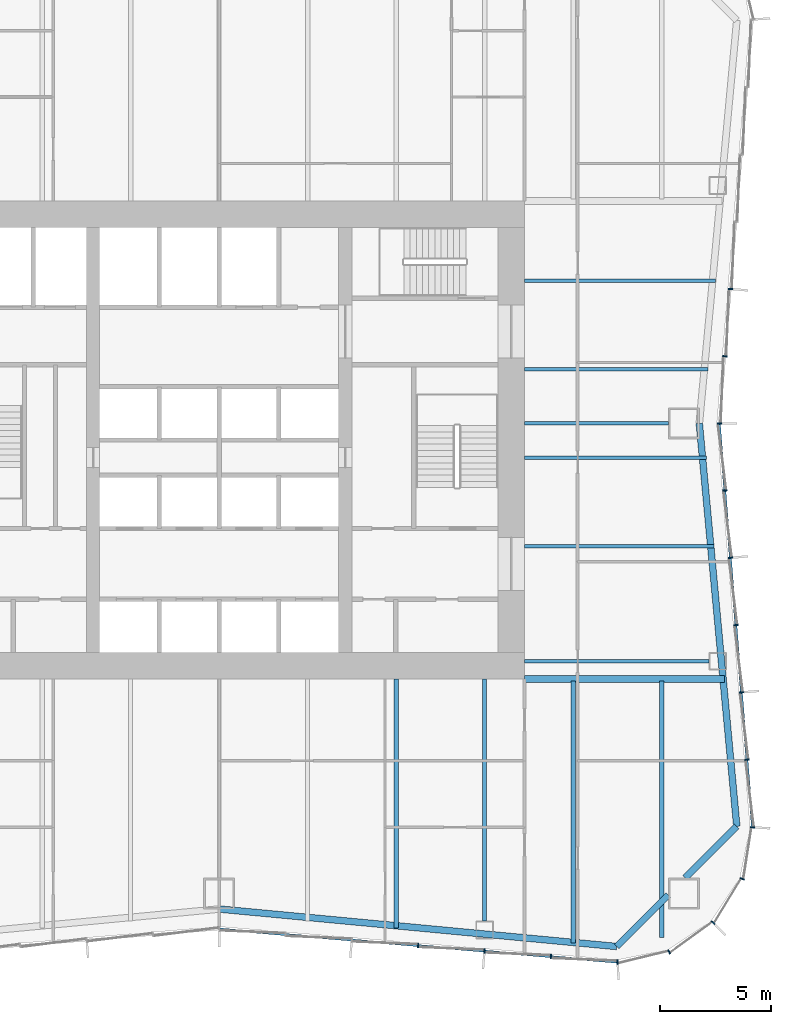
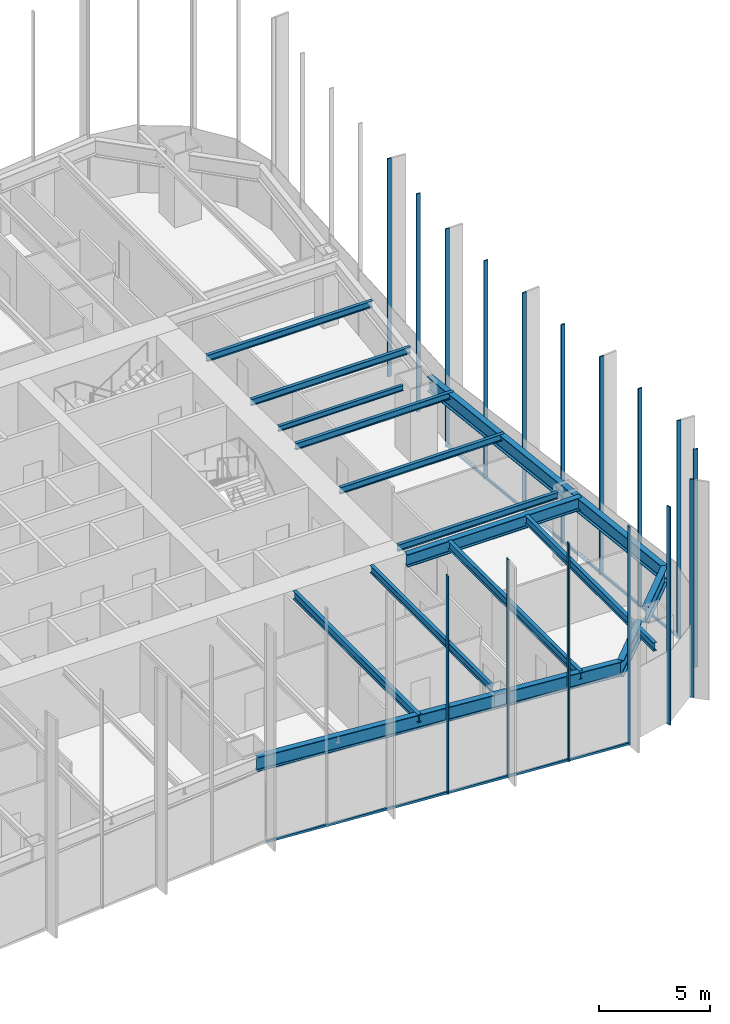
# One storey, part 4 of 13: 18 members, 15 beams, 3 elements without a shape of their own.
"""IFC4 building model written with IfcOpenShell, lengths in metres."""

from ifc_helpers import new_model, si_unit, direction, frame, origin, origin_2d, place, context, subcontext, project, spatial, rectangle, i_section, extrude, material, material_profile, profile_set, type_object, element, aggregate, save


model = new_model("IFC4")

# Units and contexts
model_context = context("Model", 3, precision=1e-05, world=origin(), true_north=direction((0.0, 1.0)))
body_context = subcontext(model_context, "Body", "Model", "MODEL_VIEW")
ifc_project = project(units=[si_unit("LENGTHUNIT", "METRE"), si_unit("AREAUNIT", "SQUARE_METRE"), si_unit("VOLUMEUNIT", "CUBIC_METRE"), si_unit("PLANEANGLEUNIT", "RADIAN"), si_unit("MASSUNIT", "GRAM", prefix="KILO")], contexts=[model_context])

# Site, building, storey
site_placement = place(None, origin())
site = spatial("IfcSite", under=ifc_project, at=site_placement, CompositionType="ELEMENT")
building_placement = place(site_placement, origin())
building = spatial("IfcBuilding", under=site, at=building_placement, Name="Verdant Reach Tower", CompositionType="ELEMENT")
storey_placement = place(building_placement, frame((0.0, 0.0, 94.0)))
storey = spatial("IfcBuildingStorey", under=building, at=storey_placement, Name="L21", CompositionType="ELEMENT", Elevation=94.0)

# Curtain wall, members
ifc_material_1 = material(Name="Anodised aluminium", Category="aluminium")
curtain_wall_type = type_object("IfcCurtainWallType", Name="EN-CW SYSTEM Z1", PredefinedType="NOTDEFINED", material=ifc_material_1)
curtain_wall_1_placement = place(storey_placement, origin())
curtain_wall_1 = element("IfcCurtainWall", 1, at=curtain_wall_1_placement, inside=storey, type_object=curtain_wall_type, Name="Curtain wall south-east corner, L21", PredefinedType="NOTDEFINED")
ifc_material_profile_1 = material_profile(ifc_material_1, rectangle(XDim=0.2060546875, YDim=0.06201171875, at=origin_2d()), Name="Mullion 62x206")
ifc_profile_set_1 = profile_set([ifc_material_profile_1], Name="Anodised aluminium")
member_type_1 = type_object("IfcMemberType", Name="EN-MULLION Z1", PredefinedType="MULLION", material=ifc_profile_set_1)
member_1_placement = place(storey_placement, frame((18.005859375, 4.397216796875, -0.35009765625), z_axis=(0.0, 0.0, 1.0), x_axis=(0.056569187765, -0.998398681387, 0.0)))
member_1 = element("IfcMember", 2, at=member_1_placement, type_object=member_type_1, Name="Mullion south-east corner 1, L21", PredefinedType="MULLION", context=body_context, shape_type="SweptSolid", body=[
    extrude(rectangle(XDim=0.2060546875, YDim=0.06201171875, at=origin_2d()), origin(), (0.0, 0.0, 1.0), 12.0),
])
member_2_placement = place(storey_placement, frame((20.33544921875, 4.861572265625, -0.35009765625), z_axis=(0.0, 0.0, 1.0), x_axis=(0.382693853776, -0.923875215753, 0.0)))
member_2 = element("IfcMember", 3, at=member_2_placement, type_object=member_type_1, Name="Mullion south-east corner 2, L21", PredefinedType="MULLION", context=body_context, shape_type="SweptSolid", body=[
    extrude(rectangle(XDim=0.2060546875, YDim=0.06201171875, at=origin_2d()), origin(), (0.0, 0.0, 1.0), 12.0),
])
member_3_placement = place(storey_placement, frame((22.3154296875, 6.1845703125, -0.35009765625), z_axis=(0.0, 0.0, 1.0), x_axis=(0.707106781187, -0.707106781187, 0.0)))
member_3 = element("IfcMember", 4, at=member_3_placement, type_object=member_type_1, Name="Mullion south-east corner 3, L21", PredefinedType="MULLION", context=body_context, shape_type="SweptSolid", body=[
    extrude(rectangle(XDim=0.2060546875, YDim=0.06201171875, at=origin_2d()), origin(), (0.0, 0.0, 1.0), 12.0),
])
member_4_placement = place(storey_placement, frame((23.638427734375, 8.16455078125, -0.35009765625), z_axis=(0.0, 0.0, 1.0), x_axis=(0.923875215753, -0.382693853776, 0.0)))
member_4 = element("IfcMember", 5, at=member_4_placement, type_object=member_type_1, Name="Mullion south-east corner 4, L21", PredefinedType="MULLION", context=body_context, shape_type="SweptSolid", body=[
    extrude(rectangle(XDim=0.2060546875, YDim=0.06201171875, at=origin_2d()), origin(), (0.0, 0.0, 1.0), 12.0),
])
aggregate(curtain_wall_1, [member_1, member_2, member_3, member_4])

curtain_wall_2_placement = place(storey_placement, origin())
curtain_wall_2 = element("IfcCurtainWall", 6, at=curtain_wall_2_placement, inside=storey, type_object=curtain_wall_type, Name="Curtain wall east, L21", PredefinedType="NOTDEFINED")
member_5_placement = place(storey_placement, frame((24.102783203125, 10.494140625, -0.35009765625), z_axis=(0.0, 0.0, 1.0), x_axis=(0.998366452275, -0.057135164055, 0.0)))
member_5 = element("IfcMember", 7, at=member_5_placement, type_object=member_type_1, Name="Mullion east face part 1 1, L21", PredefinedType="MULLION", context=body_context, shape_type="SweptSolid", body=[
    extrude(rectangle(XDim=0.2060546875, YDim=0.06201171875, at=origin_2d()), origin(), (0.0, 0.0, 1.0), 12.0),
])
member_6_placement = place(storey_placement, frame((23.8525390625, 13.550048828125, -0.35009765625), z_axis=(0.0, 0.0, 1.0), x_axis=(0.996639273542, 0.081915556724, 0.0)))
member_6 = element("IfcMember", 8, at=member_6_placement, type_object=member_type_1, Name="Mullion east face part 1 2, L21", PredefinedType="MULLION", context=body_context, shape_type="SweptSolid", body=[
    extrude(rectangle(XDim=0.2060546875, YDim=0.06201171875, at=origin_2d()), origin(), (0.0, 0.0, 1.0), 12.0),
])
member_7_placement = place(storey_placement, frame((23.6025390625, 16.591796875, -0.35009765625), z_axis=(0.0, 0.0, 1.0), x_axis=(0.996639273542, 0.081915556724, 0.0)))
member_7 = element("IfcMember", 9, at=member_7_placement, type_object=member_type_1, Name="Mullion east face part 1 3, L21", PredefinedType="MULLION", context=body_context, shape_type="SweptSolid", body=[
    extrude(rectangle(XDim=0.2060546875, YDim=0.06201171875, at=origin_2d()), origin(), (0.0, 0.0, 1.0), 12.0),
])
member_8_placement = place(storey_placement, frame((23.3525390625, 19.633544921875, -0.35009765625), z_axis=(0.0, 0.0, 1.0), x_axis=(0.996639273542, 0.081915556724, 0.0)))
member_8 = element("IfcMember", 10, at=member_8_placement, type_object=member_type_1, Name="Mullion east face part 1 4, L21", PredefinedType="MULLION", context=body_context, shape_type="SweptSolid", body=[
    extrude(rectangle(XDim=0.2060546875, YDim=0.06201171875, at=origin_2d()), origin(), (0.0, 0.0, 1.0), 12.0),
])
member_9_placement = place(storey_placement, frame((23.1025390625, 22.675048828125, -0.35009765625), z_axis=(0.0, 0.0, 1.0), x_axis=(0.996639273542, 0.081915556724, 0.0)))
member_9 = element("IfcMember", 11, at=member_9_placement, type_object=member_type_1, Name="Mullion east face part 1 5, L21", PredefinedType="MULLION", context=body_context, shape_type="SweptSolid", body=[
    extrude(rectangle(XDim=0.2060546875, YDim=0.06201171875, at=origin_2d()), origin(), (0.0, 0.0, 1.0), 12.0),
])
member_10_placement = place(storey_placement, frame((22.8525390625, 25.716796875, -0.35009765625), z_axis=(0.0, 0.0, 1.0), x_axis=(0.996639273542, 0.081915556724, 0.0)))
member_10 = element("IfcMember", 12, at=member_10_placement, type_object=member_type_1, Name="Mullion east face part 1 6, L21", PredefinedType="MULLION", context=body_context, shape_type="SweptSolid", body=[
    extrude(rectangle(XDim=0.2060546875, YDim=0.06201171875, at=origin_2d()), origin(), (0.0, 0.0, 1.0), 12.0),
])
member_11_placement = place(storey_placement, frame((22.60302734375, 28.75, -0.35009765625), z_axis=(0.0, 0.0, 1.0), x_axis=(1.0, 0.0, 0.0)))
member_11 = element("IfcMember", 13, at=member_11_placement, type_object=member_type_1, Name="Mullion east face part 2 1, L21", PredefinedType="MULLION", context=body_context, shape_type="SweptSolid", body=[
    extrude(rectangle(XDim=0.2060546875, YDim=0.06201171875, at=origin_2d()), origin(), (0.0, 0.0, 1.0), 12.0),
])
member_12_placement = place(storey_placement, frame((22.8525390625, 31.783203125, -0.35009765625), z_axis=(0.0, 0.0, 1.0), x_axis=(0.996639273542, -0.081915556724, 0.0)))
member_12 = element("IfcMember", 14, at=member_12_placement, type_object=member_type_1, Name="Mullion east face part 2 2, L21", PredefinedType="MULLION", context=body_context, shape_type="SweptSolid", body=[
    extrude(rectangle(XDim=0.2060546875, YDim=0.06201171875, at=origin_2d()), origin(), (0.0, 0.0, 1.0), 12.0),
])
member_13_placement = place(storey_placement, frame((23.1025390625, 34.824951171875, -0.35009765625), z_axis=(0.0, 0.0, 1.0), x_axis=(0.996639273542, -0.081915556724, 0.0)))
member_13 = element("IfcMember", 15, at=member_13_placement, type_object=member_type_1, Name="Mullion east face part 2 3, L21", PredefinedType="MULLION", context=body_context, shape_type="SweptSolid", body=[
    extrude(rectangle(XDim=0.2060546875, YDim=0.06201171875, at=origin_2d()), origin(), (0.0, 0.0, 1.0), 12.0),
])

curtain_wall_3_placement = place(storey_placement, origin())
curtain_wall_3 = element("IfcCurtainWall", 16, at=curtain_wall_3_placement, inside=storey, type_object=curtain_wall_type, Name="Curtain wall south, L21", PredefinedType="NOTDEFINED")
member_14_placement = place(storey_placement, frame((8.991455078125, 5.1474609375, -0.35009765625), z_axis=(0.0, 0.0, 1.0), x_axis=(-0.083045479859, -0.996545758244, 0.0)))
member_14 = element("IfcMember", 17, at=member_14_placement, type_object=member_type_1, Name="Mullion south face part 2 4, L21", PredefinedType="MULLION", context=body_context, shape_type="SweptSolid", body=[
    extrude(rectangle(XDim=0.2060546875, YDim=0.06201171875, at=origin_2d()), origin(), (0.0, 0.0, 1.0), 12.0),
])
member_15_placement = place(storey_placement, frame((11.991455078125, 4.8974609375, -0.35009765625), z_axis=(0.0, 0.0, 1.0), x_axis=(-0.083045479859, -0.996545758244, 0.0)))
member_15 = element("IfcMember", 18, at=member_15_placement, type_object=member_type_1, Name="Mullion south face part 2 5, L21", PredefinedType="MULLION", context=body_context, shape_type="SweptSolid", body=[
    extrude(rectangle(XDim=0.2060546875, YDim=0.06201171875, at=origin_2d()), origin(), (0.0, 0.0, 1.0), 12.0),
])
member_16_placement = place(storey_placement, frame((14.991455078125, 4.6474609375, -0.35009765625), z_axis=(0.0, 0.0, 1.0), x_axis=(-0.083045479859, -0.996545758244, 0.0)))
member_16 = element("IfcMember", 19, at=member_16_placement, type_object=member_type_1, Name="Mullion south face part 2 6, L21", PredefinedType="MULLION", context=body_context, shape_type="SweptSolid", body=[
    extrude(rectangle(XDim=0.2060546875, YDim=0.06201171875, at=origin_2d()), origin(), (0.0, 0.0, 1.0), 12.0),
])

# Member
ifc_material_profile_2 = material_profile(ifc_material_1, rectangle(XDim=0.10009765625, YDim=0.1220703125, at=origin_2d()), Name="Transom 122x100")
ifc_profile_set_2 = profile_set([ifc_material_profile_2], Name="Anodised aluminium")
member_type_2 = type_object("IfcMemberType", Name="EN-TRANSOM Z1", PredefinedType="USERDEFINED", material=ifc_profile_set_2)
member_17_placement = place(storey_placement, frame((24.100341796875, 10.52490234375, -0.2890625), z_axis=(-0.081886623329, 0.996641651207, 0.0), x_axis=(-0.996641651207, -0.081886623329, 0.0)))
member_17 = element("IfcMember", 20, at=member_17_placement, type_object=member_type_2, Name="Transom east face part 1 1.1, L21", ObjectType="TRANSOM", PredefinedType="USERDEFINED", context=body_context, shape_type="SweptSolid", body=[
    extrude(rectangle(XDim=0.10009765625, YDim=0.1220703125, at=origin_2d()), origin(), (0.0, 0.0, 1.0), 18.25537109375),
])

aggregate(curtain_wall_2, [member_5, member_6, member_7, member_8, member_9, member_10, member_17, member_11, member_12, member_13])

member_18_placement = place(storey_placement, frame((0.031005859375, 5.89453125, -0.2890625), z_axis=(0.996547815143, -0.083020793384, 0.0), x_axis=(0.083020793384, 0.996547815143, 0.0)))
member_18 = element("IfcMember", 21, at=member_18_placement, type_object=member_type_2, Name="Transom south face part 2 1.1, L21", ObjectType="TRANSOM", PredefinedType="USERDEFINED", context=body_context, shape_type="SweptSolid", body=[
    extrude(rectangle(XDim=0.10009765625, YDim=0.1220703125, at=origin_2d()), origin(), (0.0, 0.0, 1.0), 18.006103515625),
])

aggregate(curtain_wall_3, [member_14, member_15, member_16, member_18])

# Beams
ifc_material_2 = material(Name="Steel S355", Category="steel")
ifc_material_profile_3 = material_profile(ifc_material_2, i_section(OverallWidth=0.300048828125, OverallDepth=0.699951171875, WebThickness=0.01708984375, FlangeThickness=0.031982421875, FilletRadius=0.027099609375, at=origin_2d()), Name="HEB 700")
ifc_profile_set_3 = profile_set([ifc_material_profile_3], Name="Steel S355")
beam_type_1 = type_object("IfcBeamType", Name="ST-BEAM-HEB700", PredefinedType="BEAM", material=ifc_profile_set_3)
beam_1_placement = place(storey_placement, frame((13.800048828125, 17.199951171875, 3.52001953125), z_axis=(1.0, 0.0, 0.0), x_axis=(0.0, 1.0, 0.0)))
element("IfcBeam", 22, at=beam_1_placement, inside=storey, type_object=beam_type_1, Name="Trimmer beam, L21", PredefinedType="BEAM", context=body_context, shape_type="SweptSolid", body=[
    extrude(i_section(OverallWidth=0.300048828125, OverallDepth=0.699951171875, WebThickness=0.01708984375, FlangeThickness=0.031982421875, FilletRadius=0.027099609375, at=origin_2d()), origin(), (0.0, 0.0, 1.0), 9.04736328125),
])
ifc_material_profile_4 = material_profile(ifc_material_2, i_section(OverallWidth=0.14990234375, OverallDepth=0.300048828125, WebThickness=0.007080078125, FlangeThickness=0.0107421875, FilletRadius=0.014892578125, at=origin_2d()), Name="IPE 300")
ifc_profile_set_4 = profile_set([ifc_material_profile_4], Name="Steel S355")
beam_type_2 = type_object("IfcBeamType", Name="ST-JOIST-IPE300", PredefinedType="JOIST", material=ifc_profile_set_4)
beam_2_placement = place(storey_placement, frame((13.800048828125, 28.75, 3.719970703125), z_axis=(1.0, 0.0, 0.0), x_axis=(0.0, 1.0, 0.0)))
element("IfcBeam", 23, at=beam_2_placement, inside=storey, type_object=beam_type_2, Name="Floor joist, L21", PredefinedType="JOIST", context=body_context, shape_type="SweptSolid", body=[
    extrude(i_section(OverallWidth=0.14990234375, OverallDepth=0.300048828125, WebThickness=0.007080078125, FlangeThickness=0.0107421875, FilletRadius=0.014892578125, at=origin_2d()), origin(), (0.0, 0.0, 1.0), 6.5),
])
ifc_material_profile_5 = material_profile(ifc_material_2, i_section(OverallWidth=0.169921875, OverallDepth=0.360107421875, WebThickness=0.008056640625, FlangeThickness=0.0126953125, FilletRadius=0.01806640625, at=origin_2d()), Name="IPE 360")
ifc_profile_set_5 = profile_set([ifc_material_profile_5], Name="Steel S355")
beam_type_3 = type_object("IfcBeamType", Name="ST-JOIST-IPE360", PredefinedType="JOIST", material=ifc_profile_set_5)
beam_3_placement = place(storey_placement, frame((13.800048828125, 18.0, 3.68994140625), z_axis=(1.0, 0.0, 0.0), x_axis=(0.0, 1.0, 0.0)))
element("IfcBeam", 24, at=beam_3_placement, inside=storey, type_object=beam_type_3, Name="Floor joist, L21", PredefinedType="JOIST", context=body_context, shape_type="SweptSolid", body=[
    extrude(i_section(OverallWidth=0.169921875, OverallDepth=0.360107421875, WebThickness=0.008056640625, FlangeThickness=0.0126953125, FilletRadius=0.01806640625, at=origin_2d()), origin(), (0.0, 0.0, 1.0), 8.33349609375),
])
beam_4_placement = place(storey_placement, frame((13.800048828125, 23.199951171875, 3.68994140625), z_axis=(1.0, 0.0, 0.0), x_axis=(0.0, 1.0, 0.0)))
element("IfcBeam", 25, at=beam_4_placement, inside=storey, type_object=beam_type_3, Name="Floor joist, L21", PredefinedType="JOIST", context=body_context, shape_type="SweptSolid", body=[
    extrude(i_section(OverallWidth=0.169921875, OverallDepth=0.360107421875, WebThickness=0.008056640625, FlangeThickness=0.0126953125, FilletRadius=0.01806640625, at=origin_2d()), origin(), (0.0, 0.0, 1.0), 8.553955078125),
])
beam_5_placement = place(storey_placement, frame((13.800048828125, 27.199951171875, 3.68994140625), z_axis=(1.0, 0.0, 0.0), x_axis=(0.0, 1.0, 0.0)))
element("IfcBeam", 26, at=beam_5_placement, inside=storey, type_object=beam_type_3, Name="Floor joist, L21", PredefinedType="JOIST", context=body_context, shape_type="SweptSolid", body=[
    extrude(i_section(OverallWidth=0.169921875, OverallDepth=0.360107421875, WebThickness=0.008056640625, FlangeThickness=0.0126953125, FilletRadius=0.01806640625, at=origin_2d()), origin(), (0.0, 0.0, 1.0), 8.225341796875),
])
beam_6_placement = place(storey_placement, frame((13.800048828125, 31.199951171875, 3.68994140625), z_axis=(1.0, 0.0, 0.0), x_axis=(0.0, 1.0, 0.0)))
element("IfcBeam", 27, at=beam_6_placement, inside=storey, type_object=beam_type_3, Name="Floor joist, L21", PredefinedType="JOIST", context=body_context, shape_type="SweptSolid", body=[
    extrude(i_section(OverallWidth=0.169921875, OverallDepth=0.360107421875, WebThickness=0.008056640625, FlangeThickness=0.0126953125, FilletRadius=0.01806640625, at=origin_2d()), origin(), (0.0, 0.0, 1.0), 8.29931640625),
])
beam_7_placement = place(storey_placement, frame((13.800048828125, 35.199951171875, 3.68994140625), z_axis=(1.0, 0.0, 0.0), x_axis=(0.0, 1.0, 0.0)))
element("IfcBeam", 28, at=beam_7_placement, inside=storey, type_object=beam_type_3, Name="Floor joist, L21", PredefinedType="JOIST", context=body_context, shape_type="SweptSolid", body=[
    extrude(i_section(OverallWidth=0.169921875, OverallDepth=0.360107421875, WebThickness=0.008056640625, FlangeThickness=0.0126953125, FilletRadius=0.01806640625, at=origin_2d()), origin(), (0.0, 0.0, 1.0), 8.6279296875),
])
ifc_material_profile_6 = material_profile(ifc_material_2, i_section(OverallWidth=0.179931640625, OverallDepth=0.39990234375, WebThickness=0.008544921875, FlangeThickness=0.013427734375, FilletRadius=0.02099609375, at=origin_2d()), Name="IPE 400")
ifc_profile_set_6 = profile_set([ifc_material_profile_6], Name="Steel S355")
beam_type_4 = type_object("IfcBeamType", Name="ST-JOIST-IPE400", PredefinedType="JOIST", material=ifc_profile_set_6)
beam_8_placement = place(storey_placement, frame((12.0, 17.199951171875, 3.669921875), z_axis=(0.0, -1.0, 0.0), x_axis=(1.0, 0.0, 0.0)))
element("IfcBeam", 29, at=beam_8_placement, inside=storey, type_object=beam_type_4, Name="Floor joist, L21", PredefinedType="JOIST", context=body_context, shape_type="SweptSolid", body=[
    extrude(i_section(OverallWidth=0.179931640625, OverallDepth=0.39990234375, WebThickness=0.008544921875, FlangeThickness=0.013427734375, FilletRadius=0.02099609375, at=origin_2d()), origin(), (0.0, 0.0, 1.0), 10.949951171875),
])
ifc_material_profile_7 = material_profile(ifc_material_2, i_section(OverallWidth=0.18994140625, OverallDepth=0.449951171875, WebThickness=0.009521484375, FlangeThickness=0.0146484375, FilletRadius=0.02099609375, at=origin_2d()), Name="IPE 450")
ifc_profile_set_7 = profile_set([ifc_material_profile_7], Name="Steel S355")
beam_type_5 = type_object("IfcBeamType", Name="ST-JOIST-IPE450", PredefinedType="JOIST", material=ifc_profile_set_7)
beam_9_placement = place(storey_placement, frame((8.0, 17.199951171875, 3.64501953125), z_axis=(0.0, -1.0, 0.0), x_axis=(1.0, 0.0, 0.0)))
element("IfcBeam", 30, at=beam_9_placement, inside=storey, type_object=beam_type_5, Name="Floor joist, L21", PredefinedType="JOIST", context=body_context, shape_type="SweptSolid", body=[
    extrude(i_section(OverallWidth=0.18994140625, OverallDepth=0.449951171875, WebThickness=0.009521484375, FlangeThickness=0.0146484375, FilletRadius=0.02099609375, at=origin_2d()), origin(), (0.0, 0.0, 1.0), 11.2646484375),
])
beam_10_placement = place(storey_placement, frame((16.0, 17.10009765625, 3.64501953125), z_axis=(0.0, -1.0, 0.0), x_axis=(1.0, 0.0, 0.0)))
element("IfcBeam", 31, at=beam_10_placement, inside=storey, type_object=beam_type_5, Name="Floor joist, L21", PredefinedType="JOIST", context=body_context, shape_type="SweptSolid", body=[
    extrude(i_section(OverallWidth=0.18994140625, OverallDepth=0.449951171875, WebThickness=0.009521484375, FlangeThickness=0.0146484375, FilletRadius=0.02099609375, at=origin_2d()), origin(), (0.0, 0.0, 1.0), 11.831298828125),
])
beam_11_placement = place(storey_placement, frame((20.0, 17.10009765625, 3.64501953125), z_axis=(0.0, -1.0, 0.0), x_axis=(1.0, 0.0, 0.0)))
element("IfcBeam", 32, at=beam_11_placement, inside=storey, type_object=beam_type_5, Name="Floor joist, L21", PredefinedType="JOIST", context=body_context, shape_type="SweptSolid", body=[
    extrude(i_section(OverallWidth=0.18994140625, OverallDepth=0.449951171875, WebThickness=0.009521484375, FlangeThickness=0.0146484375, FilletRadius=0.02099609375, at=origin_2d()), origin(), (0.0, 0.0, 1.0), 11.590576171875),
])
ifc_material_profile_8 = material_profile(ifc_material_2, i_section(OverallWidth=0.300048828125, OverallDepth=0.800048828125, WebThickness=0.017578125, FlangeThickness=0.032958984375, FilletRadius=0.030029296875, at=origin_2d()), Name="HEB 800")
ifc_profile_set_8 = profile_set([ifc_material_profile_8], Name="Steel S355")
beam_type_6 = type_object("IfcBeamType", Name="ST-SPANDREL-HEB800", PredefinedType="SPANDREL", material=ifc_profile_set_8)
beam_12_placement = place(storey_placement, frame((17.9658203125, 5.10498046875, 3.469970703125), z_axis=(-0.995578571765, 0.093932462137, 0.0), x_axis=(-0.093932462137, -0.995578571765, 0.0)))
element("IfcBeam", 33, at=beam_12_placement, inside=storey, type_object=beam_type_6, Name="Edge beam, L21", PredefinedType="SPANDREL", context=body_context, shape_type="SweptSolid", body=[
    extrude(i_section(OverallWidth=0.300048828125, OverallDepth=0.800048828125, WebThickness=0.017578125, FlangeThickness=0.032958984375, FilletRadius=0.030029296875, at=origin_2d()), origin(), (0.0, 0.0, 1.0), 18.045654296875),
])
beam_13_placement = place(storey_placement, frame((21.699951171875, 28.75, 3.469970703125), z_axis=(0.092656907618, -0.995698095544, 0.0), x_axis=(0.995698095544, 0.092656907618, 0.0)))
element("IfcBeam", 34, at=beam_13_placement, inside=storey, type_object=beam_type_6, Name="Edge beam, L21", PredefinedType="SPANDREL", context=body_context, shape_type="SweptSolid", body=[
    extrude(i_section(OverallWidth=0.300048828125, OverallDepth=0.800048828125, WebThickness=0.017578125, FlangeThickness=0.032958984375, FilletRadius=0.030029296875, at=origin_2d()), origin(), (0.0, 0.0, 1.0), 18.2939453125),
])
ifc_material_profile_9 = material_profile(ifc_material_2, i_section(OverallWidth=0.302001953125, OverallDepth=0.909912109375, WebThickness=0.02099609375, FlangeThickness=0.0400390625, FilletRadius=0.030029296875, at=origin_2d()), Name="HEM 900")
ifc_profile_set_9 = profile_set([ifc_material_profile_9], Name="Steel S355")
beam_type_7 = type_object("IfcBeamType", Name="ST-SPANDREL-HEM900", PredefinedType="SPANDREL", material=ifc_profile_set_9)
beam_14_placement = place(storey_placement, frame((23.39501953125, 10.53466796875, 3.4150390625), z_axis=(-0.707069807316, -0.707143753123, 0.0), x_axis=(0.707143753123, -0.707069807316, 0.0)))
element("IfcBeam", 35, at=beam_14_placement, inside=storey, type_object=beam_type_7, Name="Edge beam, L21", PredefinedType="SPANDREL", context=body_context, shape_type="SweptSolid", body=[
    extrude(i_section(OverallWidth=0.302001953125, OverallDepth=0.909912109375, WebThickness=0.02099609375, FlangeThickness=0.0400390625, FilletRadius=0.030029296875, at=origin_2d()), origin(), (0.0, 0.0, 1.0), 3.301513671875),
])
beam_15_placement = place(storey_placement, frame((20.300048828125, 7.439208984375, 3.4150390625), z_axis=(-0.707106781187, -0.707106781187, 0.0), x_axis=(0.707106781187, -0.707106781187, 0.0)))
element("IfcBeam", 36, at=beam_15_placement, inside=storey, type_object=beam_type_7, Name="Edge beam, L21", PredefinedType="SPANDREL", context=body_context, shape_type="SweptSolid", body=[
    extrude(i_section(OverallWidth=0.302001953125, OverallDepth=0.909912109375, WebThickness=0.02099609375, FlangeThickness=0.0400390625, FilletRadius=0.030029296875, at=origin_2d()), origin(), (0.0, 0.0, 1.0), 3.301025390625),
])

save(model, "model.ifc")
